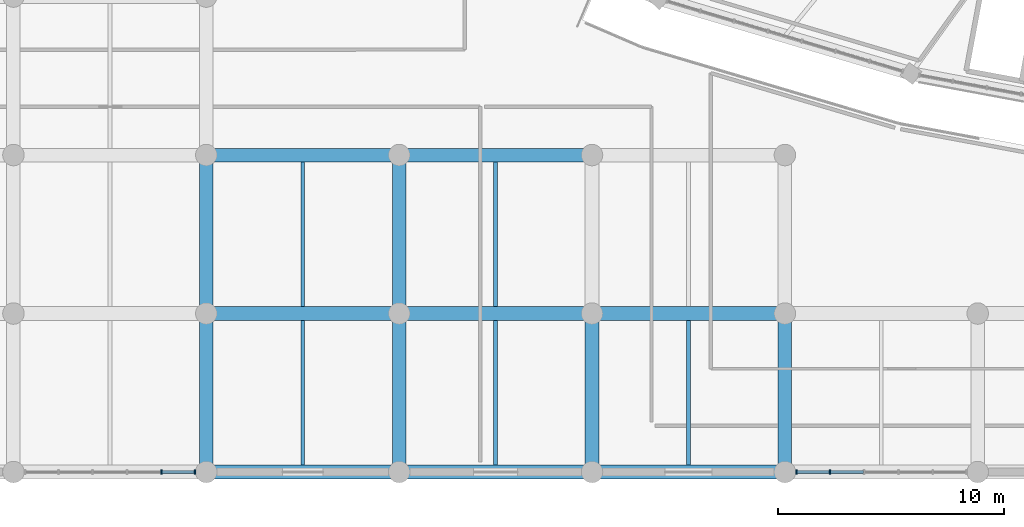
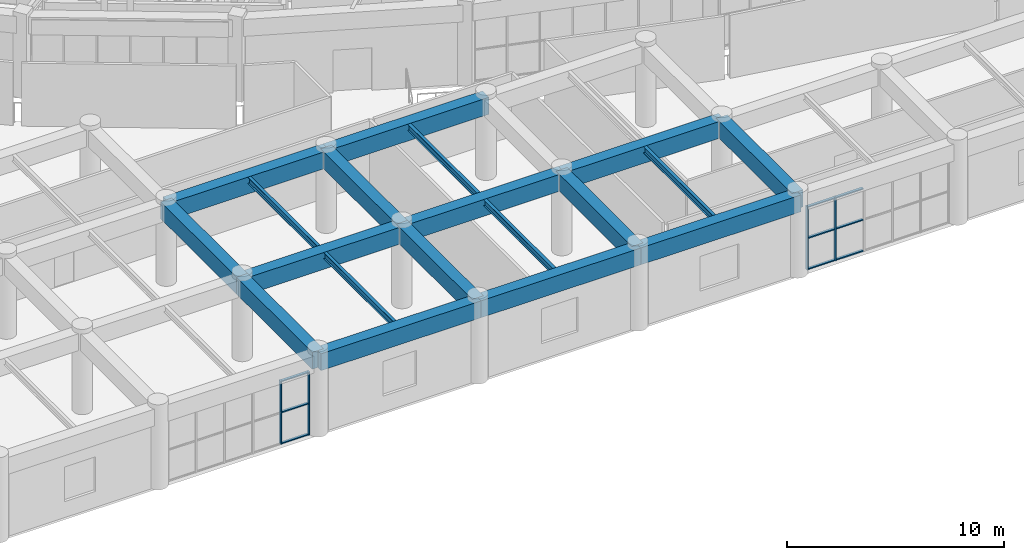
# One storey, part 13 of 137: 19 beams, 13 members, 2 elements without a shape of their own.
"""IFC4 building model written with IfcOpenShell, lengths in metres."""

from ifc_helpers import new_model, si_unit, direction, frame, origin, origin_2d, place, context, subcontext, project, spatial, rectangle, i_section, extrude, material, layer, layer_set, material_profile, profile_set, type_object, element, aggregate, save


model = new_model("IFC4")

# Units and contexts
model_context = context("Model", 3, precision=1e-05, world=origin(), true_north=direction((0.0, 1.0)))
body_context = subcontext(model_context, "Body", "Model", "MODEL_VIEW")
ifc_project = project(units=[si_unit("LENGTHUNIT", "METRE"), si_unit("AREAUNIT", "SQUARE_METRE"), si_unit("VOLUMEUNIT", "CUBIC_METRE"), si_unit("PLANEANGLEUNIT", "RADIAN"), si_unit("MASSUNIT", "GRAM", prefix="KILO")], contexts=[model_context])

# Site, building, storey
site_placement = place(None, origin())
site = spatial("IfcSite", under=ifc_project, at=site_placement, CompositionType="ELEMENT")
building_placement = place(site_placement, origin())
building = spatial("IfcBuilding", under=site, at=building_placement, Name="Mphavela Belvedere Stadium", CompositionType="ELEMENT")
storey_placement = place(building_placement, frame((0.0, 0.0, 19.199951171875)))
storey = spatial("IfcBuildingStorey", under=building, at=storey_placement, Name="L04", CompositionType="ELEMENT", Elevation=19.199951171875)

# Beams
ifc_material_1 = material(Name="Concrete C40/50", Category="concrete")
ifc_material_profile_1 = material_profile(ifc_material_1, rectangle(XDim=0.60009765625, YDim=0.949951171875, at=origin_2d()), Name="RC 600x950")
ifc_profile_set_1 = profile_set([ifc_material_profile_1], Name="Concrete C40/50")
beam_type_1 = type_object("IfcBeamType", Name="BM-ENTABLATURE-950", PredefinedType="SPANDREL", material=ifc_profile_set_1)
beam_1_placement = place(storey_placement, frame((34.073974609375, 0.0, 4.06494140625), z_axis=(1.0, 0.0, 0.0), x_axis=(0.0, 1.0, 0.0)))
element("IfcBeam", 1, at=beam_1_placement, inside=storey, type_object=beam_type_1, Name="South Axial Triumphal Peristyle Portico entablature beam X L04 5-1", PredefinedType="SPANDREL", context=body_context, shape_type="SweptSolid", body=[
    extrude(rectangle(XDim=0.60009765625, YDim=0.949951171875, at=origin_2d()), origin(), (0.0, 0.0, 1.0), 8.51904296875),
])
beam_2_placement = place(storey_placement, frame((34.073974609375, 0.0, 4.06494140625), z_axis=(0.0, 1.0, 0.0), x_axis=(-1.0, 0.0, 0.0)))
element("IfcBeam", 2, at=beam_2_placement, inside=storey, type_object=beam_type_1, Name="South Axial Triumphal Peristyle Portico entablature beam Y L04 5-1", PredefinedType="SPANDREL", context=body_context, shape_type="SweptSolid", body=[
    extrude(rectangle(XDim=0.60009765625, YDim=0.949951171875, at=origin_2d()), origin(), (0.0, 0.0, 1.0), 7.0),
])
beam_3_placement = place(storey_placement, frame((34.073974609375, 7.0, 4.06494140625), z_axis=(1.0, 0.0, 0.0), x_axis=(0.0, 1.0, 0.0)))
element("IfcBeam", 3, at=beam_3_placement, inside=storey, type_object=beam_type_1, Name="South Axial Triumphal Peristyle Portico entablature beam X L04 5-2", PredefinedType="SPANDREL", context=body_context, shape_type="SweptSolid", body=[
    extrude(rectangle(XDim=0.60009765625, YDim=0.949951171875, at=origin_2d()), origin(), (0.0, 0.0, 1.0), 8.51904296875),
])
beam_4_placement = place(storey_placement, frame((34.073974609375, 7.0, 4.06494140625), z_axis=(0.0, 1.0, 0.0), x_axis=(-1.0, 0.0, 0.0)))
element("IfcBeam", 4, at=beam_4_placement, inside=storey, type_object=beam_type_1, Name="South Axial Triumphal Peristyle Portico entablature beam Y L04 5-2", PredefinedType="SPANDREL", context=body_context, shape_type="SweptSolid", body=[
    extrude(rectangle(XDim=0.60009765625, YDim=0.949951171875, at=origin_2d()), origin(), (0.0, 0.0, 1.0), 7.0),
])
beam_5_placement = place(storey_placement, frame((34.073974609375, 14.0, 4.06494140625), z_axis=(1.0, 0.0, 0.0), x_axis=(0.0, 1.0, 0.0)))
element("IfcBeam", 5, at=beam_5_placement, inside=storey, type_object=beam_type_1, Name="South Axial Triumphal Peristyle Portico entablature beam X L04 5-3", PredefinedType="SPANDREL", context=body_context, shape_type="SweptSolid", body=[
    extrude(rectangle(XDim=0.60009765625, YDim=0.949951171875, at=origin_2d()), origin(), (0.0, 0.0, 1.0), 8.51904296875),
])
beam_6_placement = place(storey_placement, frame((42.593017578125, 0.0, 4.06494140625), z_axis=(1.0, 0.0, 0.0), x_axis=(0.0, 1.0, 0.0)))
element("IfcBeam", 6, at=beam_6_placement, inside=storey, type_object=beam_type_1, Name="South Axial Triumphal Peristyle Portico entablature beam X L04 6-1", PredefinedType="SPANDREL", context=body_context, shape_type="SweptSolid", body=[
    extrude(rectangle(XDim=0.60009765625, YDim=0.949951171875, at=origin_2d()), origin(), (0.0, 0.0, 1.0), 8.51806640625),
])
beam_7_placement = place(storey_placement, frame((42.593017578125, 0.0, 4.06494140625), z_axis=(0.0, 1.0, 0.0), x_axis=(-1.0, 0.0, 0.0)))
element("IfcBeam", 7, at=beam_7_placement, inside=storey, type_object=beam_type_1, Name="South Axial Triumphal Peristyle Portico entablature beam Y L04 6-1", PredefinedType="SPANDREL", context=body_context, shape_type="SweptSolid", body=[
    extrude(rectangle(XDim=0.60009765625, YDim=0.949951171875, at=origin_2d()), origin(), (0.0, 0.0, 1.0), 7.0),
])
beam_8_placement = place(storey_placement, frame((42.593017578125, 7.0, 4.06494140625), z_axis=(1.0, 0.0, 0.0), x_axis=(0.0, 1.0, 0.0)))
element("IfcBeam", 8, at=beam_8_placement, inside=storey, type_object=beam_type_1, Name="South Axial Triumphal Peristyle Portico entablature beam X L04 6-2", PredefinedType="SPANDREL", context=body_context, shape_type="SweptSolid", body=[
    extrude(rectangle(XDim=0.60009765625, YDim=0.949951171875, at=origin_2d()), origin(), (0.0, 0.0, 1.0), 8.51806640625),
])
beam_9_placement = place(storey_placement, frame((42.593017578125, 7.0, 4.06494140625), z_axis=(0.0, 1.0, 0.0), x_axis=(-1.0, 0.0, 0.0)))
element("IfcBeam", 9, at=beam_9_placement, inside=storey, type_object=beam_type_1, Name="South Axial Triumphal Peristyle Portico entablature beam Y L04 6-2", PredefinedType="SPANDREL", context=body_context, shape_type="SweptSolid", body=[
    extrude(rectangle(XDim=0.60009765625, YDim=0.949951171875, at=origin_2d()), origin(), (0.0, 0.0, 1.0), 7.0),
])
beam_10_placement = place(storey_placement, frame((42.593017578125, 14.0, 4.06494140625), z_axis=(1.0, 0.0, 0.0), x_axis=(0.0, 1.0, 0.0)))
element("IfcBeam", 10, at=beam_10_placement, inside=storey, type_object=beam_type_1, Name="South Axial Triumphal Peristyle Portico entablature beam X L04 6-3", PredefinedType="SPANDREL", context=body_context, shape_type="SweptSolid", body=[
    extrude(rectangle(XDim=0.60009765625, YDim=0.949951171875, at=origin_2d()), origin(), (0.0, 0.0, 1.0), 8.51806640625),
])
beam_11_placement = place(storey_placement, frame((51.111083984375, 0.0, 4.06494140625), z_axis=(1.0, 0.0, 0.0), x_axis=(0.0, 1.0, 0.0)))
element("IfcBeam", 11, at=beam_11_placement, inside=storey, type_object=beam_type_1, Name="South Axial Triumphal Peristyle Portico entablature beam X L04 7-1", PredefinedType="SPANDREL", context=body_context, shape_type="SweptSolid", body=[
    extrude(rectangle(XDim=0.60009765625, YDim=0.949951171875, at=origin_2d()), origin(), (0.0, 0.0, 1.0), 8.518798828125),
])
beam_12_placement = place(storey_placement, frame((51.111083984375, 0.0, 4.06494140625), z_axis=(0.0, 1.0, 0.0), x_axis=(-1.0, 0.0, 0.0)))
element("IfcBeam", 12, at=beam_12_placement, inside=storey, type_object=beam_type_1, Name="South Axial Triumphal Peristyle Portico entablature beam Y L04 7-1", PredefinedType="SPANDREL", context=body_context, shape_type="SweptSolid", body=[
    extrude(rectangle(XDim=0.60009765625, YDim=0.949951171875, at=origin_2d()), origin(), (0.0, 0.0, 1.0), 7.0),
])
beam_13_placement = place(storey_placement, frame((51.111083984375, 7.0, 4.06494140625), z_axis=(1.0, 0.0, 0.0), x_axis=(0.0, 1.0, 0.0)))
element("IfcBeam", 13, at=beam_13_placement, inside=storey, type_object=beam_type_1, Name="South Axial Triumphal Peristyle Portico entablature beam X L04 7-2", PredefinedType="SPANDREL", context=body_context, shape_type="SweptSolid", body=[
    extrude(rectangle(XDim=0.60009765625, YDim=0.949951171875, at=origin_2d()), origin(), (0.0, 0.0, 1.0), 8.518798828125),
])
beam_14_placement = place(storey_placement, frame((59.6298828125, 0.0, 4.06494140625), z_axis=(0.0, 1.0, 0.0), x_axis=(-1.0, 0.0, 0.0)))
element("IfcBeam", 14, at=beam_14_placement, inside=storey, type_object=beam_type_1, Name="South Axial Triumphal Peristyle Portico entablature beam Y L04 8-1", PredefinedType="SPANDREL", context=body_context, shape_type="SweptSolid", body=[
    extrude(rectangle(XDim=0.60009765625, YDim=0.949951171875, at=origin_2d()), origin(), (0.0, 0.0, 1.0), 7.0),
])
ifc_material_2 = material(Name="Steel S355", Category="steel")
ifc_material_profile_2 = material_profile(ifc_material_2, i_section(OverallWidth=0.169921875, OverallDepth=0.360107421875, WebThickness=0.008056640625, FlangeThickness=0.0126953125, at=origin_2d()), Name="IPE 360")
ifc_profile_set_2 = profile_set([ifc_material_profile_2], Name="Steel S355")
beam_type_2 = type_object("IfcBeamType", Name="BM-JOIST-IPE360", PredefinedType="JOIST", material=ifc_profile_set_2)
for number, where, z_axis, x_axis, name in (
    (15, (38.33349609375, 0.300048828125, 4.360107421875), (0.0, 1.0, 0.0), (-1.0, 0.0, 0.0), "South Axial Triumphal Peristyle Portico secondary joist L04 5-1"),
    (16, (38.33349609375, 7.300048828125, 4.360107421875), (0.0, 1.0, 0.0), (-1.0, 0.0, 0.0), "South Axial Triumphal Peristyle Portico secondary joist L04 5-2"),
    (17, (46.85205078125, 0.300048828125, 4.360107421875), (0.0, 1.0, 0.0), (-1.0, 0.0, 0.0), "South Axial Triumphal Peristyle Portico secondary joist L04 6-1"),
    (18, (46.85205078125, 7.300048828125, 4.360107421875), (0.0, 1.0, 0.0), (-1.0, 0.0, 0.0), "South Axial Triumphal Peristyle Portico secondary joist L04 6-2"),
    (19, (55.37060546875, 0.300048828125, 4.360107421875), (0.0, 1.0, 0.0), (-1.0, 0.0, 0.0), "South Axial Triumphal Peristyle Portico secondary joist L04 7-1"),
):
    element("IfcBeam", number, at=place(storey_placement, frame(where, z_axis=z_axis, x_axis=x_axis)), inside=storey, type_object=beam_type_2, Name=name, PredefinedType="JOIST", context=body_context, shape_type="SweptSolid", body=[
        extrude(i_section(OverallWidth=0.169921875, OverallDepth=0.360107421875, WebThickness=0.008056640625, FlangeThickness=0.0126953125, at=origin_2d()), origin(), (0.0, 0.0, 1.0), 6.39990234375),
    ])

# Curtain wall, members
ifc_material_3 = material(Name="Anodised bronze unitised curtain wall framing")
ifc_layer_1 = layer(ifc_material_3, 0.18994140625)
ifc_layer_set_1 = layer_set([ifc_layer_1], Name="Anodised bronze unitised curtain wall framing")
curtain_wall_type_1 = type_object("IfcCurtainWallType", Name="CW-UNIT-03", PredefinedType="USERDEFINED", material=ifc_layer_set_1)
curtain_wall_1_placement = place(storey_placement, origin())
curtain_wall_1 = element("IfcCurtainWall", 20, at=curtain_wall_1_placement, inside=storey, type_object=curtain_wall_type_1, Name="South Axial Triumphal Peristyle Portico gallery curtain wall L04-04", ObjectType="UNITISED CURTAIN WALL", PredefinedType="USERDEFINED")
ifc_material_4 = material(Name="Anodised bronze extruded aluminium", Category="aluminium")
ifc_material_profile_3 = material_profile(ifc_material_4, rectangle(XDim=0.179931640625, YDim=0.06494140625, at=origin_2d()), Name="CW-MUL 180x65")
ifc_profile_set_3 = profile_set([ifc_material_profile_3], Name="Anodised bronze extruded aluminium")
member_type_1 = type_object("IfcMemberType", Name="CWM-180x65", PredefinedType="MULLION", material=ifc_profile_set_3)
member_1_placement = place(storey_placement, frame((33.568603515625, 0.0, 0.0), z_axis=(0.0, 0.0, 1.0), x_axis=(0.0, -1.0, 0.0)))
member_1 = element("IfcMember", 21, at=member_1_placement, type_object=member_type_1, Name="CW-03 mullion 1", PredefinedType="MULLION", context=body_context, shape_type="SweptSolid", body=[
    extrude(rectangle(XDim=0.179931640625, YDim=0.06494140625, at=origin_2d()), origin(), (0.0, 0.0, 1.0), 3.56005859375),
])
member_2_placement = place(storey_placement, frame((32.086669921875, 0.0, 0.0), z_axis=(0.0, 0.0, 1.0), x_axis=(0.0, -1.0, 0.0)))
member_2 = element("IfcMember", 22, at=member_2_placement, type_object=member_type_1, Name="CW-03 mullion 2", PredefinedType="MULLION", context=body_context, shape_type="SweptSolid", body=[
    extrude(rectangle(XDim=0.179931640625, YDim=0.06494140625, at=origin_2d()), origin(), (0.0, 0.0, 1.0), 3.56005859375),
])

ifc_material_5 = material(Name="Anodised bronze unitised curtain wall framing")
ifc_layer_2 = layer(ifc_material_5, 0.195068359375)
ifc_layer_set_2 = layer_set([ifc_layer_2], Name="Anodised bronze unitised curtain wall framing")
curtain_wall_type_2 = type_object("IfcCurtainWallType", Name="CW-UNIT-04", PredefinedType="USERDEFINED", material=ifc_layer_set_2)
curtain_wall_2_placement = place(storey_placement, origin())
curtain_wall_2 = element("IfcCurtainWall", 23, at=curtain_wall_2_placement, inside=storey, type_object=curtain_wall_type_2, Name="South Axial Triumphal Peristyle Portico gallery curtain wall L04-08", ObjectType="UNITISED CURTAIN WALL", PredefinedType="USERDEFINED")
member_3_placement = place(storey_placement, frame((61.617431640625, 0.0, 0.0), z_axis=(0.0, 0.0, 1.0), x_axis=(0.0, -1.0, 0.0)))
member_3 = element("IfcMember", 24, at=member_3_placement, type_object=member_type_1, Name="CW-04 mullion 5", PredefinedType="MULLION", context=body_context, shape_type="SweptSolid", body=[
    extrude(rectangle(XDim=0.179931640625, YDim=0.06494140625, at=origin_2d()), origin(), (0.0, 0.0, 1.0), 3.56005859375),
])
member_4_placement = place(storey_placement, frame((60.135498046875, 0.0, 0.0), z_axis=(0.0, 0.0, 1.0), x_axis=(0.0, -1.0, 0.0)))
member_4 = element("IfcMember", 25, at=member_4_placement, type_object=member_type_1, Name="CW-04 mullion 6", PredefinedType="MULLION", context=body_context, shape_type="SweptSolid", body=[
    extrude(rectangle(XDim=0.179931640625, YDim=0.06494140625, at=origin_2d()), origin(), (0.0, 0.0, 1.0), 3.56005859375),
])

# Member
ifc_material_6 = material(Name="Anodised bronze extruded aluminium", Category="aluminium")
ifc_material_profile_4 = material_profile(ifc_material_6, rectangle(XDim=0.139892578125, YDim=0.06005859375, at=origin_2d()), Name="CW-TRN 140x60")
ifc_profile_set_4 = profile_set([ifc_material_profile_4], Name="Anodised bronze extruded aluminium")
member_type_2 = type_object("IfcMemberType", Name="CWT-140x60", PredefinedType="USERDEFINED", material=ifc_profile_set_4)
member_5_placement = place(storey_placement, frame((33.535888671875, 0.0, 0.030029296875), z_axis=(-1.0, 0.0, 0.0), x_axis=(0.0, -1.0, 0.0)))
member_5 = element("IfcMember", 26, at=member_5_placement, type_object=member_type_2, Name="CW-03 transom 1.1", ObjectType="TRANSOM", PredefinedType="USERDEFINED", context=body_context, shape_type="SweptSolid", body=[
    extrude(rectangle(XDim=0.139892578125, YDim=0.06005859375, at=origin_2d()), origin(), (0.0, 0.0, 1.0), 1.416748046875),
])

member_6_placement = place(storey_placement, frame((33.535888671875, 0.0, 1.780029296875), z_axis=(-1.0, 0.0, 0.0), x_axis=(0.0, -1.0, 0.0)))
member_6 = element("IfcMember", 27, at=member_6_placement, type_object=member_type_2, Name="CW-03 transom 1.2", ObjectType="TRANSOM", PredefinedType="USERDEFINED", context=body_context, shape_type="SweptSolid", body=[
    extrude(rectangle(XDim=0.139892578125, YDim=0.06005859375, at=origin_2d()), origin(), (0.0, 0.0, 1.0), 1.416748046875),
])

member_7_placement = place(storey_placement, frame((33.535888671875, 0.0, 3.530029296875), z_axis=(-1.0, 0.0, 0.0), x_axis=(0.0, -1.0, 0.0)))
member_7 = element("IfcMember", 28, at=member_7_placement, type_object=member_type_2, Name="CW-03 transom 1.3", ObjectType="TRANSOM", PredefinedType="USERDEFINED", context=body_context, shape_type="SweptSolid", body=[
    extrude(rectangle(XDim=0.139892578125, YDim=0.06005859375, at=origin_2d()), origin(), (0.0, 0.0, 1.0), 1.416748046875),
])

aggregate(curtain_wall_1, [member_1, member_2, member_5, member_6, member_7])

member_8_placement = place(storey_placement, frame((63.099365234375, 0.0, 0.030029296875), z_axis=(-1.0, 0.0, 0.0), x_axis=(0.0, -1.0, 0.0)))
member_8 = element("IfcMember", 29, at=member_8_placement, type_object=member_type_2, Name="CW-04 transom 4.1", ObjectType="TRANSOM", PredefinedType="USERDEFINED", context=body_context, shape_type="SweptSolid", body=[
    extrude(rectangle(XDim=0.139892578125, YDim=0.06005859375, at=origin_2d()), origin(), (0.0, 0.0, 1.0), 1.449462890625),
])

member_9_placement = place(storey_placement, frame((63.099365234375, 0.0, 1.780029296875), z_axis=(-1.0, 0.0, 0.0), x_axis=(0.0, -1.0, 0.0)))
member_9 = element("IfcMember", 30, at=member_9_placement, type_object=member_type_2, Name="CW-04 transom 4.2", ObjectType="TRANSOM", PredefinedType="USERDEFINED", context=body_context, shape_type="SweptSolid", body=[
    extrude(rectangle(XDim=0.139892578125, YDim=0.06005859375, at=origin_2d()), origin(), (0.0, 0.0, 1.0), 1.449462890625),
])

member_10_placement = place(storey_placement, frame((63.099365234375, 0.0, 3.530029296875), z_axis=(-1.0, 0.0, 0.0), x_axis=(0.0, -1.0, 0.0)))
member_10 = element("IfcMember", 31, at=member_10_placement, type_object=member_type_2, Name="CW-04 transom 4.3", ObjectType="TRANSOM", PredefinedType="USERDEFINED", context=body_context, shape_type="SweptSolid", body=[
    extrude(rectangle(XDim=0.139892578125, YDim=0.06005859375, at=origin_2d()), origin(), (0.0, 0.0, 1.0), 1.449462890625),
])

member_11_placement = place(storey_placement, frame((61.5849609375, 0.0, 0.030029296875), z_axis=(-1.0, 0.0, 0.0), x_axis=(0.0, -1.0, 0.0)))
member_11 = element("IfcMember", 32, at=member_11_placement, type_object=member_type_2, Name="CW-04 transom 5.1", ObjectType="TRANSOM", PredefinedType="USERDEFINED", context=body_context, shape_type="SweptSolid", body=[
    extrude(rectangle(XDim=0.139892578125, YDim=0.06005859375, at=origin_2d()), origin(), (0.0, 0.0, 1.0), 1.4169921875),
])

member_12_placement = place(storey_placement, frame((61.5849609375, 0.0, 1.780029296875), z_axis=(-1.0, 0.0, 0.0), x_axis=(0.0, -1.0, 0.0)))
member_12 = element("IfcMember", 33, at=member_12_placement, type_object=member_type_2, Name="CW-04 transom 5.2", ObjectType="TRANSOM", PredefinedType="USERDEFINED", context=body_context, shape_type="SweptSolid", body=[
    extrude(rectangle(XDim=0.139892578125, YDim=0.06005859375, at=origin_2d()), origin(), (0.0, 0.0, 1.0), 1.4169921875),
])

member_13_placement = place(storey_placement, frame((61.5849609375, 0.0, 3.530029296875), z_axis=(-1.0, 0.0, 0.0), x_axis=(0.0, -1.0, 0.0)))
member_13 = element("IfcMember", 34, at=member_13_placement, type_object=member_type_2, Name="CW-04 transom 5.3", ObjectType="TRANSOM", PredefinedType="USERDEFINED", context=body_context, shape_type="SweptSolid", body=[
    extrude(rectangle(XDim=0.139892578125, YDim=0.06005859375, at=origin_2d()), origin(), (0.0, 0.0, 1.0), 1.4169921875),
])

aggregate(curtain_wall_2, [member_3, member_4, member_8, member_9, member_10, member_11, member_12, member_13])

save(model, "model.ifc")
